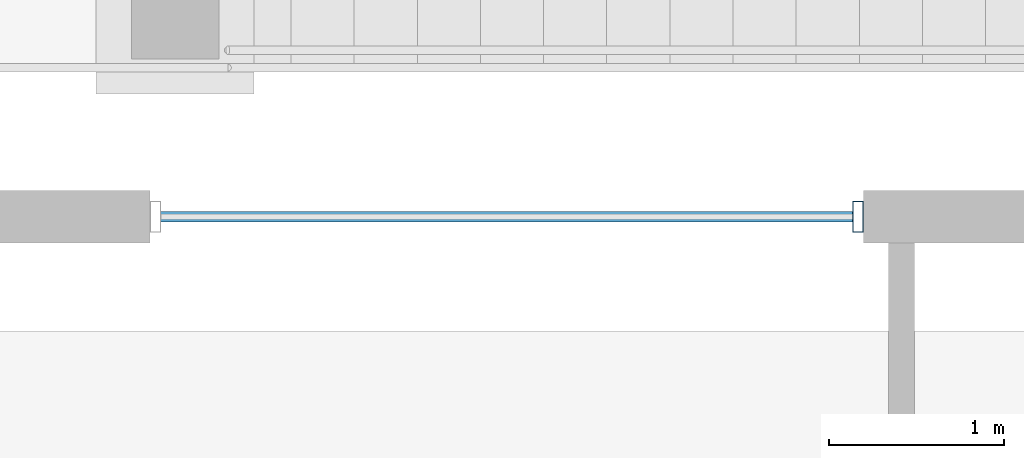
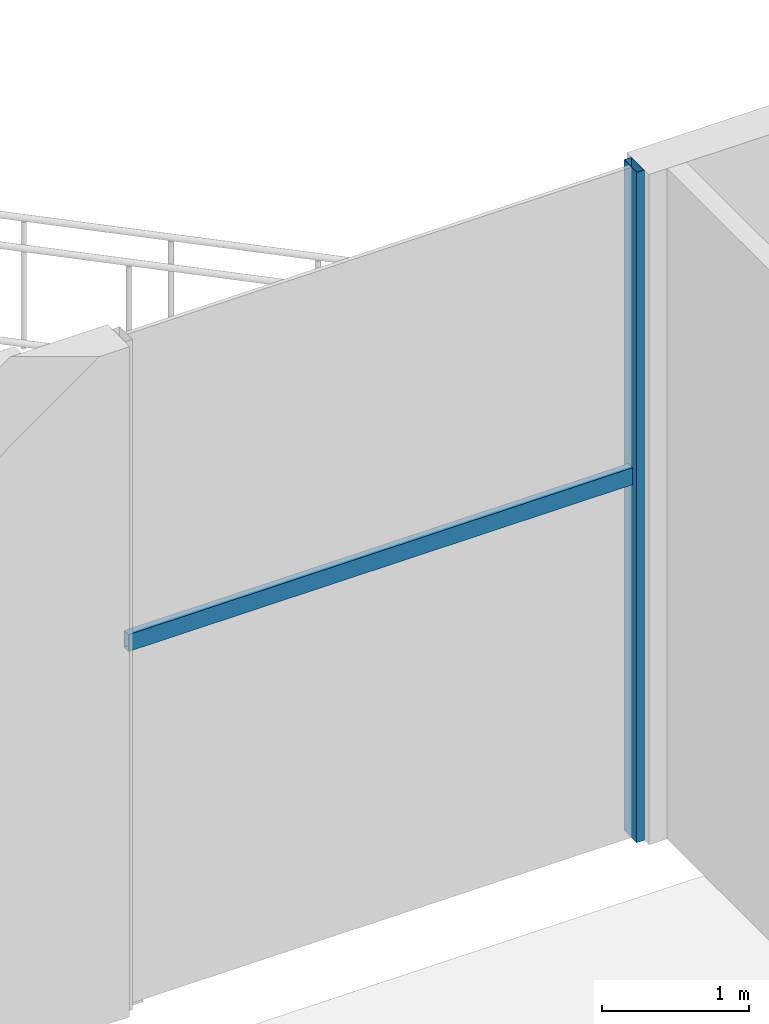
# One storey, part 13 of 68: 2 members, 1 element without a shape of its own.
"""IFC4 building model written with IfcOpenShell, lengths in metres."""

import ifcopenshell
import ifcopenshell.guid

model = None  # the IFC model being written
_history = None  # IfcOwnerHistory: only IFC2X3 demands one
_inside = {}  # id of a spatial element -> (the spatial element, [elements in it])
_under = {}  # id of a project, library or spatial element -> (it, [spatial elements below it])
_declared = {}  # id of a project -> (the project, [libraries it declares])
_typed = {}  # id of a type object -> (the type object, [elements of that type])
_made_of = {}  # id of a material, layer set ... -> (it, [elements and type objects made of it])


def new_model(schema):
    """Start an empty IFC model of exactly this schema.

    Asked for "IFC4X3", IfcOpenShell would pick the latest addendum, in which some entities
    have other attributes; the version numbers below select the first issue.
    IFC2X3 requires an IfcOwnerHistory on every rooted entity: one is made here for all.
    """
    global model, _history
    if schema == "IFC4X3":
        model = ifcopenshell.file(schema_version=(4, 3, 0, 0))
    else:
        model = ifcopenshell.file(schema=schema)
    _inside.clear()
    _under.clear()
    _declared.clear()
    _typed.clear()
    _made_of.clear()
    _history = None
    if model.schema == "IFC2X3":
        org = make("IfcOrganization", Name="unknown")
        user = make(
            "IfcPersonAndOrganization",
            ThePerson=make("IfcPerson", FamilyName="unknown"),
            TheOrganization=org,
        )
        app = make(
            "IfcApplication",
            ApplicationDeveloper=org,
            Version="unknown",
            ApplicationFullName="unknown",
            ApplicationIdentifier="unknown",
        )
        _history = make(
            "IfcOwnerHistory",
            OwningUser=user,
            OwningApplication=app,
            ChangeAction="ADDED",
            CreationDate=0,
        )
    return model


def make(cls, **values):
    """One entity of the class cls with the attributes given. An attribute that is None is left unset."""
    return model.create_entity(
        cls, **{name: value for name, value in values.items() if value is not None}
    )


def rooted(cls, **values):
    """An entity with a GlobalId (a new one), such as an element, a storey or a relation."""
    return make(cls, GlobalId=ifcopenshell.guid.new(), OwnerHistory=_history, **values)


def si_unit(unit_type, name, prefix=None):
    """IfcSIUnit, for example si_unit("LENGTHUNIT", "METRE", prefix="MILLI")."""
    return make("IfcSIUnit", UnitType=unit_type, Prefix=prefix, Name=name)


def assignment(units):
    """IfcUnitAssignment: the units of a project."""
    return None if units is None else make("IfcUnitAssignment", Units=units)


def point(xyz):
    """IfcCartesianPoint."""
    return None if xyz is None else make("IfcCartesianPoint", Coordinates=xyz)


def direction(xyz):
    """IfcDirection."""
    return None if xyz is None else make("IfcDirection", DirectionRatios=xyz)


def frame(location, z_axis=None, x_axis=None):
    """IfcAxis2Placement3D, a coordinate frame: its origin and axes. An axis left out is left unset."""
    return make(
        "IfcAxis2Placement3D",
        Location=point(location),
        Axis=direction(z_axis),
        RefDirection=direction(x_axis),
    )


def frame_2d(location, x_axis=None):
    """IfcAxis2Placement2D, a coordinate frame in the plane: its origin and x axis."""
    return make(
        "IfcAxis2Placement2D", Location=point(location), RefDirection=direction(x_axis)
    )


def origin():
    """The frame at (0, 0, 0) with its axes left unset."""
    return frame((0.0, 0.0, 0.0))


def origin_2d():
    """The frame at (0, 0) in the plane with its x axis left unset."""
    return frame_2d((0.0, 0.0))


def place(relative_to, where):
    """IfcLocalPlacement: puts the frame where relative to a parent placement (None: the world)."""
    return make(
        "IfcLocalPlacement", PlacementRelTo=relative_to, RelativePlacement=where
    )


def context(
    kind, dimensions, precision=None, world=None, true_north=None, identifier=None
):
    """IfcGeometricRepresentationContext, for example the 3D "Model" context."""
    return make(
        "IfcGeometricRepresentationContext",
        ContextIdentifier=identifier,
        ContextType=kind,
        CoordinateSpaceDimension=dimensions,
        Precision=precision,
        WorldCoordinateSystem=world,
        TrueNorth=true_north,
    )


def subcontext(parent, identifier, kind, view, scale=None):
    """IfcGeometricRepresentationSubContext, for example "Body" below "Model"."""
    return make(
        "IfcGeometricRepresentationSubContext",
        ContextIdentifier=identifier,
        ContextType=kind,
        ParentContext=parent,
        TargetScale=scale,
        TargetView=view,
    )


def project(units=None, contexts=None):
    """IfcProject with its units and contexts."""
    return rooted(
        "IfcProject",
        Name="project",
        RepresentationContexts=contexts,
        UnitsInContext=assignment(units),
    )


def spatial(cls, under=None, at=None, **own):
    """A site, building, storey or space (cls), placed at a placement, below another one or the project."""
    s = rooted(cls, ObjectPlacement=at, **own)
    if under is not None:
        _under.setdefault(under.id(), (under, []))[1].append(s)
    return s


def profile(cls, at=None, kind="AREA", **sizes):
    """A parametric profile (cls). Its sizes go by their IFC names, for example OverallWidth=200.0."""
    return make(cls, ProfileType=kind, Position=at, **sizes)


def hollow_rectangle(**sizes):
    """IfcRectangleHollowProfileDef."""
    return profile("IfcRectangleHollowProfileDef", **sizes)


def extrude(swept, where, along, depth):
    """IfcExtrudedAreaSolid: the profile swept, set in the frame where, extruded along a direction by depth."""
    return make(
        "IfcExtrudedAreaSolid",
        SweptArea=swept,
        Position=where,
        ExtrudedDirection=direction(along),
        Depth=depth,
    )


def shape(context_of_items, identifier, shape_type, items):
    """IfcShapeRepresentation: the items that make up one representation, for example the "Body"."""
    return make(
        "IfcShapeRepresentation",
        ContextOfItems=context_of_items,
        RepresentationIdentifier=identifier,
        RepresentationType=shape_type,
        Items=items,
    )


def material(Name=None, Category=None):
    """IfcMaterial."""
    return make("IfcMaterial", Name=Name, Category=Category)


def material_profile(
    of_material, cross_section, Name=None, Category=None, Priority=None
):
    """IfcMaterialProfile: a cross section and its material."""
    return make(
        "IfcMaterialProfile",
        Name=Name,
        Material=of_material,
        Profile=cross_section,
        Priority=Priority,
        Category=Category,
    )


def profile_set(profiles, Name=None, composite=None):
    """IfcMaterialProfileSet."""
    return make(
        "IfcMaterialProfileSet",
        Name=Name,
        MaterialProfiles=profiles,
        CompositeProfile=composite,
    )


def made_of(thing, what):
    """Note that an element or type object is made of a material, layer set ...; save() writes the relation."""
    if what is not None:
        _made_of.setdefault(what.id(), (what, []))[1].append(thing)
    return thing


def type_object(cls, material=None, **own):
    """A type object (cls), such as IfcWallType, which elements share."""
    return made_of(rooted(cls, **own), material)


def element(
    cls,
    number,
    at=None,
    inside=None,
    cuts=None,
    type_object=None,
    material=None,
    context=None,
    identifier="Body",
    shape_type=None,
    held_by="IfcProductDefinitionShape",
    body=None,
    shapes=None,
    **own,
):
    """One element of the class cls, such as IfcWall. Its Tag is "e" and its number.

    at: its placement. inside: the storey or other place that contains it. cuts: it is an
    opening in that element (IfcRelVoidsElement). A single representation is given by context,
    identifier, shape_type and body (its items); several are given by shapes. held_by: the class
    of the entity that holds the representations. save() writes the other relations.
    """
    e = rooted(cls, Tag="e%d" % number, ObjectPlacement=at, **own)
    if body is not None:
        shapes = [shape(context, identifier, shape_type, body)]
    if shapes is not None:
        e.Representation = make(held_by, Representations=shapes)
    if inside is not None:
        _inside.setdefault(inside.id(), (inside, []))[1].append(e)
    if cuts is not None:
        rooted(
            "IfcRelVoidsElement", RelatingBuildingElement=cuts, RelatedOpeningElement=e
        )
    if type_object is not None:
        _typed.setdefault(type_object.id(), (type_object, []))[1].append(e)
    return made_of(e, material)


def aggregate(whole, parts):
    """IfcRelAggregates: a whole, such as a stair, and the parts it consists of."""
    return rooted("IfcRelAggregates", RelatingObject=whole, RelatedObjects=parts)


def save(model, path):
    """Write the relations noted so far, then the file.

    IfcRelAggregates (storeys below a building ...), IfcRelContainedInSpatialStructure (elements
    in a storey), IfcRelDefinesByType, IfcRelAssociatesMaterial and IfcRelDeclares: one each for
    every whole, place, type object, material and project.
    """
    for whole, parts in _under.values():
        aggregate(whole, parts)
    for where, things in _inside.values():
        rooted(
            "IfcRelContainedInSpatialStructure",
            RelatedElements=things,
            RelatingStructure=where,
        )
    for kind, things in _typed.values():
        rooted("IfcRelDefinesByType", RelatedObjects=things, RelatingType=kind)
    for what, things in _made_of.values():
        rooted("IfcRelAssociatesMaterial", RelatedObjects=things, RelatingMaterial=what)
    for by, libraries in _declared.values():
        rooted("IfcRelDeclares", RelatingContext=by, RelatedDefinitions=libraries)
    model.write(path)


model = new_model("IFC4")

# Units and contexts
model_context = context("Model", 3, precision=1e-05, world=origin(), true_north=direction((0.0, 1.0)))
body_context = subcontext(model_context, "Body", "Model", "MODEL_VIEW")
ifc_project = project(units=[si_unit("LENGTHUNIT", "METRE"), si_unit("AREAUNIT", "SQUARE_METRE"), si_unit("VOLUMEUNIT", "CUBIC_METRE"), si_unit("PLANEANGLEUNIT", "RADIAN"), si_unit("MASSUNIT", "GRAM", prefix="KILO")], contexts=[model_context])

# Site, building, storey
site_placement = place(None, origin())
site = spatial("IfcSite", under=ifc_project, at=site_placement, CompositionType="ELEMENT")
building_placement = place(site_placement, origin())
building = spatial("IfcBuilding", under=site, at=building_placement, Name="Altepetl Exchange Towers", CompositionType="ELEMENT")
storey_placement = place(building_placement, origin())
storey = spatial("IfcBuildingStorey", under=building, at=storey_placement, Name="L00 Ground concourse", CompositionType="ELEMENT", Elevation=0.0)

# Curtain wall, members
ifc_material_1 = material(Name="Aluminium 6063-T6 glazing", Category="aluminium")
curtain_wall_type = type_object("IfcCurtainWallType", Name="Podium storefront system", PredefinedType="NOTDEFINED", material=ifc_material_1)
curtain_wall_placement = place(storey_placement, origin())
curtain_wall = element("IfcCurtainWall", 1, at=curtain_wall_placement, inside=storey, type_object=curtain_wall_type, Name="CW5 run", PredefinedType="NOTDEFINED")
ifc_material_2 = material(Name="Aluminium 6063-T6", Category="aluminium")
ifc_material_profile_1 = material_profile(ifc_material_2, hollow_rectangle(XDim=0.06005859375, YDim=0.175048828125, WallThickness=0.0029296875, at=origin_2d()), Name="Mullion 60x175 aluminium")
ifc_profile_set_1 = profile_set([ifc_material_profile_1], Name="Aluminium 6063-T6")
member_type_1 = type_object("IfcMemberType", Name="Mullion 60x175 aluminium", PredefinedType="MULLION", material=ifc_profile_set_1)
member_1_placement = place(storey_placement, frame((17.75341796875, 98.85009765625, 0.0), z_axis=(0.0, 0.0, 1.0), x_axis=(-1.0, 0.0, 0.0)))
member_1 = element("IfcMember", 2, at=member_1_placement, type_object=member_type_1, Name="MU4 mullion", PredefinedType="MULLION", context=body_context, shape_type="SweptSolid", body=[
    extrude(hollow_rectangle(XDim=0.06005859375, YDim=0.175048828125, WallThickness=0.0029296875, at=origin_2d()), origin(), (0.0, 0.0, 1.0), 5.550048828125),
])
ifc_material_profile_2 = material_profile(ifc_material_2, hollow_rectangle(XDim=0.06005859375, YDim=0.139892578125, WallThickness=0.0029296875, at=origin_2d()), Name="Transom 60x140 aluminium")
ifc_profile_set_2 = profile_set([ifc_material_profile_2], Name="Aluminium 6063-T6")
member_type_2 = type_object("IfcMemberType", Name="Transom 60x140 aluminium", PredefinedType="USERDEFINED", material=ifc_profile_set_2)
member_2_placement = place(storey_placement, frame((17.723388671875, 98.85009765625, 3.0), z_axis=(-1.0, 0.0, 0.0), x_axis=(0.0, -1.0, 0.0)))
member_2 = element("IfcMember", 3, at=member_2_placement, type_object=member_type_2, Name="TR3 transom", ObjectType="TRANSOM", PredefinedType="USERDEFINED", context=body_context, shape_type="SweptSolid", body=[
    extrude(hollow_rectangle(XDim=0.06005859375, YDim=0.139892578125, WallThickness=0.0029296875, at=origin_2d()), origin(), (0.0, 0.0, 1.0), 3.94677734375),
])
aggregate(curtain_wall, [member_1, member_2])

save(model, "model.ifc")
